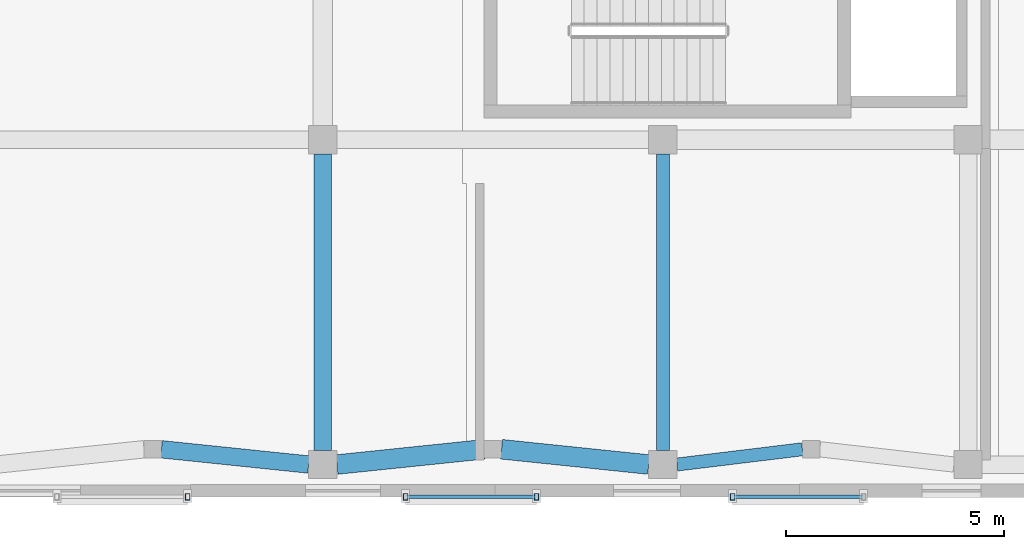
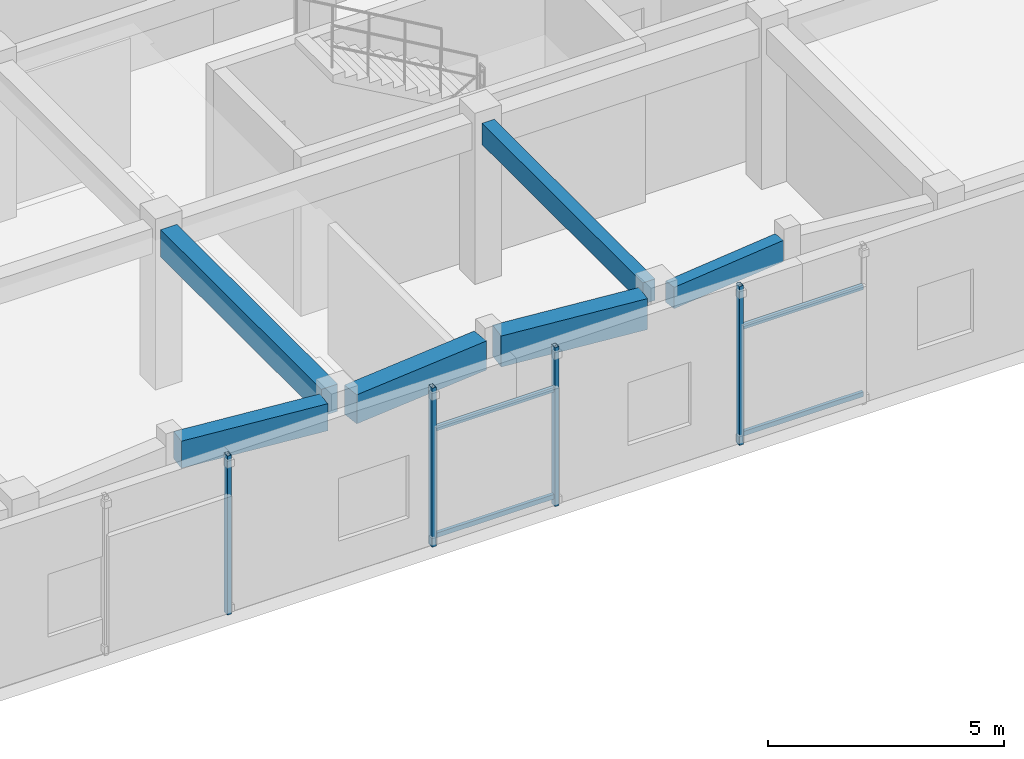
# One storey, part 41 of 142: 8 members, 6 beams.
"""IFC4 building model written with IfcOpenShell, lengths in metres."""

from ifc_helpers import new_model, si_unit, direction, frame, origin, origin_2d, place, context, subcontext, project, spatial, rectangle, hollow_rectangle, extrude, material, material_profile, profile_set, type_object, element, save


model = new_model("IFC4")

# Units and contexts
model_context = context("Model", 3, precision=1e-05, world=origin(), true_north=direction((0.0, 1.0)))
body_context = subcontext(model_context, "Body", "Model", "MODEL_VIEW")
ifc_project = project(units=[si_unit("LENGTHUNIT", "METRE"), si_unit("AREAUNIT", "SQUARE_METRE"), si_unit("VOLUMEUNIT", "CUBIC_METRE"), si_unit("PLANEANGLEUNIT", "RADIAN"), si_unit("MASSUNIT", "GRAM", prefix="KILO")], contexts=[model_context])

# Site, building, storey
site_placement = place(None, origin())
site = spatial("IfcSite", under=ifc_project, at=site_placement, CompositionType="ELEMENT")
building_placement = place(site_placement, origin())
building = spatial("IfcBuilding", under=site, at=building_placement, Name="Valcora Specialist Clinic", CompositionType="ELEMENT")
storey_placement = place(building_placement, frame((0.0, 0.0, 5.10009765625)))
storey = spatial("IfcBuildingStorey", under=building, at=storey_placement, Name="L01", CompositionType="ELEMENT", Elevation=5.10009765625)

# Beams
ifc_material_1 = material(Name="Concrete C40/50", Category="concrete")
ifc_material_profile_1 = material_profile(ifc_material_1, rectangle(XDim=0.300048828125, YDim=0.550048828125, at=origin_2d()), Name="RC-BM-300X550")
ifc_profile_set_1 = profile_set([ifc_material_profile_1], Name="Concrete C40/50")
beam_type_1 = type_object("IfcBeamType", Name="TY-BM-RC300X550", PredefinedType="BEAM", material=ifc_profile_set_1)
beam_1_placement = place(storey_placement, frame((92.72509765625, 0.75, 3.829833984375), z_axis=(0.992667109146, 0.120880148991, 0.0), x_axis=(-0.120880148991, 0.992667109146, 0.0)))
element("IfcBeam", 1, at=beam_1_placement, inside=storey, type_object=beam_type_1, Name="Beam BM-L01-1297", PredefinedType="BEAM", context=body_context, shape_type="SweptSolid", body=[
    extrude(rectangle(XDim=0.300048828125, YDim=0.550048828125, at=origin_2d()), origin(), (0.0, 0.0, 1.0), 2.896240234375),
])
beam_2_placement = place(storey_placement, frame((92.39990234375, 1.074951171875, 3.829833984375), z_axis=(0.0, 1.0, 0.0), x_axis=(-1.0, 0.0, 0.0)))
element("IfcBeam", 2, at=beam_2_placement, inside=storey, type_object=beam_type_1, Name="Beam BM-L01-1343", PredefinedType="BEAM", context=body_context, shape_type="SweptSolid", body=[
    extrude(rectangle(XDim=0.300048828125, YDim=0.550048828125, at=origin_2d()), origin(), (0.0, 0.0, 1.0), 6.800048828125),
])
ifc_material_profile_2 = material_profile(ifc_material_1, rectangle(XDim=0.39990234375, YDim=0.699951171875, at=origin_2d()), Name="RC-BM-400X700")
ifc_profile_set_2 = profile_set([ifc_material_profile_2], Name="Concrete C40/50")
beam_type_2 = type_object("IfcBeamType", Name="TY-BM-RC400X700", PredefinedType="BEAM", material=ifc_profile_set_2)
beam_3_placement = place(storey_placement, frame((80.89990234375, 1.10009765625, 3.7548828125), z_axis=(0.994662804408, -0.103178997506, 0.0), x_axis=(0.103178997506, 0.994662804408, 0.0)))
element("IfcBeam", 3, at=beam_3_placement, inside=storey, type_object=beam_type_2, Name="Beam BM-L01-1294", PredefinedType="BEAM", context=body_context, shape_type="SweptSolid", body=[
    extrude(rectangle(XDim=0.39990234375, YDim=0.699951171875, at=origin_2d()), origin(), (0.0, 0.0, 1.0), 3.39306640625),
])
beam_4_placement = place(storey_placement, frame((84.60009765625, 1.074951171875, 3.7548828125), z_axis=(0.0, 1.0, 0.0), x_axis=(-1.0, 0.0, 0.0)))
element("IfcBeam", 4, at=beam_4_placement, inside=storey, type_object=beam_type_2, Name="Beam BM-L01-1340", PredefinedType="BEAM", context=body_context, shape_type="SweptSolid", body=[
    extrude(rectangle(XDim=0.39990234375, YDim=0.699951171875, at=origin_2d()), origin(), (0.0, 0.0, 1.0), 6.800048828125),
])
ifc_material_profile_3 = material_profile(ifc_material_1, rectangle(XDim=0.449951171875, YDim=0.75, at=origin_2d()), Name="RC-BM-450X750")
ifc_profile_set_3 = profile_set([ifc_material_profile_3], Name="Concrete C40/50")
beam_type_3 = type_object("IfcBeamType", Name="TY-BM-RC450X750", PredefinedType="BEAM", material=ifc_profile_set_3)
beam_5_placement = place(storey_placement, frame((84.925048828125, 0.75, 3.72998046875), z_axis=(0.994662804408, 0.103178997506, 0.0), x_axis=(-0.103178997506, 0.994662804408, 0.0)))
element("IfcBeam", 5, at=beam_5_placement, inside=storey, type_object=beam_type_3, Name="Beam BM-L01-1295", PredefinedType="BEAM", context=body_context, shape_type="SweptSolid", body=[
    extrude(rectangle(XDim=0.449951171875, YDim=0.75, at=origin_2d()), origin(), (0.0, 0.0, 1.0), 3.39306640625),
])
ifc_material_profile_4 = material_profile(ifc_material_1, rectangle(XDim=0.449951171875, YDim=0.800048828125, at=origin_2d()), Name="RC-BM-450X800")
ifc_profile_set_4 = profile_set([ifc_material_profile_4], Name="Concrete C40/50")
beam_type_4 = type_object("IfcBeamType", Name="TY-BM-RC450X800", PredefinedType="BEAM", material=ifc_profile_set_4)
beam_6_placement = place(storey_placement, frame((88.699951171875, 1.10009765625, 3.704833984375), z_axis=(0.994662804408, -0.103178997506, 0.0), x_axis=(0.103178997506, 0.994662804408, 0.0)))
element("IfcBeam", 6, at=beam_6_placement, inside=storey, type_object=beam_type_4, Name="Beam BM-L01-1296", PredefinedType="BEAM", context=body_context, shape_type="SweptSolid", body=[
    extrude(rectangle(XDim=0.449951171875, YDim=0.800048828125, at=origin_2d()), origin(), (0.0, 0.0, 1.0), 3.39306640625),
])

# Members
ifc_material_2 = material(Name="Steel ASTM A500 Grade C", Category="steel")
ifc_material_profile_5 = material_profile(ifc_material_2, hollow_rectangle(XDim=0.10009765625, YDim=0.14990234375, WallThickness=0.006103515625, at=origin_2d()), Name="ST-RHS-150X100X6")
ifc_profile_set_5 = profile_set([ifc_material_profile_5], Name="Steel ASTM A500 Grade C")
member_type_1 = type_object("IfcMemberType", Name="TY-MB-SFPOST", PredefinedType="POST", material=ifc_profile_set_5)
for number, where, z_axis, x_axis, name in (
    (7, (81.5, 0.010009765625, 0.0), (0.0, 0.0, 1.0), (1.0, 0.0, 0.0), "Brick screen carrier post 70"),
    (8, (86.5, 0.010009765625, 0.0), (0.0, 0.0, 1.0), (1.0, 0.0, 0.0), "Brick screen carrier post 73"),
    (9, (89.5, 0.010009765625, 0.0), (0.0, 0.0, 1.0), (1.0, 0.0, 0.0), "Brick screen carrier post 74"),
    (10, (94.0, 0.010009765625, 0.0), (0.0, 0.0, 1.0), (1.0, 0.0, 0.0), "Brick screen carrier post 77"),
):
    element("IfcMember", number, at=place(storey_placement, frame(where, z_axis=z_axis, x_axis=x_axis)), inside=storey, type_object=member_type_1, Name=name, PredefinedType="POST", context=body_context, shape_type="SweptSolid", body=[
        extrude(hollow_rectangle(XDim=0.10009765625, YDim=0.14990234375, WallThickness=0.006103515625, at=origin_2d()), origin(), (0.0, 0.0, 1.0), 4.10498046875),
    ])
ifc_material_profile_6 = material_profile(ifc_material_2, hollow_rectangle(XDim=0.080078125, YDim=0.1201171875, WallThickness=0.0048828125, at=origin_2d()), Name="ST-RHS-120X80X5")
ifc_profile_set_6 = profile_set([ifc_material_profile_6], Name="Steel ASTM A500 Grade C")
member_type_2 = type_object("IfcMemberType", Name="TY-MB-SFRAIL", PredefinedType="STRINGER", material=ifc_profile_set_6)
for number, where, z_axis, x_axis, name in (
    (11, (86.5, 0.010009765625, 0.239990234375), (1.0, 0.0, 0.0), (0.0, 1.0, 0.0), "Brick screen carrier rail 75"),
    (12, (86.5, 0.010009765625, 3.0), (1.0, 0.0, 0.0), (0.0, 1.0, 0.0), "Brick screen carrier rail 76"),
    (13, (94.0, 0.010009765625, 0.239990234375), (1.0, 0.0, 0.0), (0.0, 1.0, 0.0), "Brick screen carrier rail 79"),
    (14, (94.0, 0.010009765625, 3.0), (1.0, 0.0, 0.0), (0.0, 1.0, 0.0), "Brick screen carrier rail 80"),
):
    element("IfcMember", number, at=place(storey_placement, frame(where, z_axis=z_axis, x_axis=x_axis)), inside=storey, type_object=member_type_2, Name=name, PredefinedType="STRINGER", context=body_context, shape_type="SweptSolid", body=[
        extrude(hollow_rectangle(XDim=0.080078125, YDim=0.1201171875, WallThickness=0.0048828125, at=origin_2d()), origin(), (0.0, 0.0, 1.0), 3.0),
    ])

save(model, "model.ifc")
